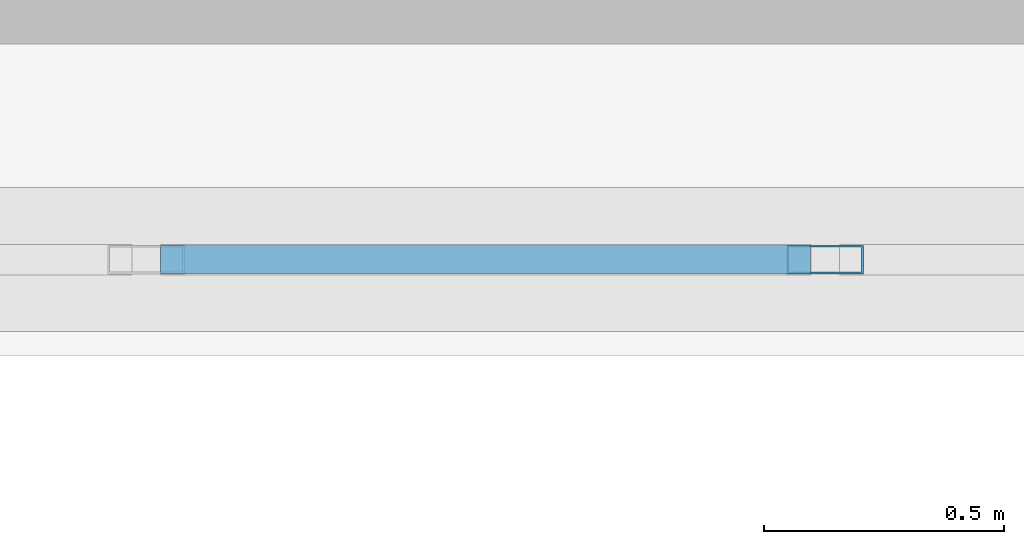
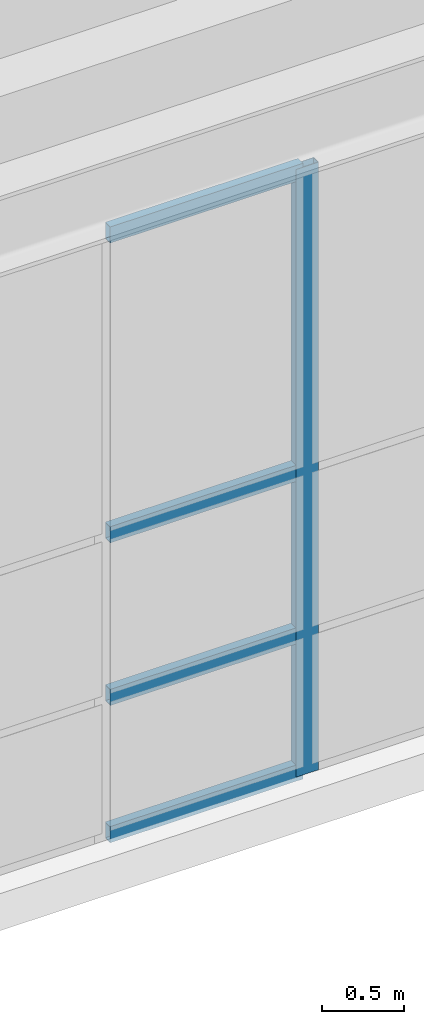
# One storey, part 62 of 210: 5 members, 1 element without a shape of its own.
"""IFC4 building model written with IfcOpenShell, lengths in metres."""

from ifc_helpers import new_model, si_unit, direction, frame, origin, origin_2d, place, context, subcontext, project, spatial, hollow_rectangle, extrude, material, material_profile, profile_set, type_object, element, aggregate, save


model = new_model("IFC4")

# Units and contexts
model_context = context("Model", 3, precision=1e-05, world=origin(), true_north=direction((0.0, 1.0)))
body_context = subcontext(model_context, "Body", "Model", "MODEL_VIEW")
ifc_project = project(units=[si_unit("LENGTHUNIT", "METRE"), si_unit("AREAUNIT", "SQUARE_METRE"), si_unit("VOLUMEUNIT", "CUBIC_METRE"), si_unit("PLANEANGLEUNIT", "RADIAN"), si_unit("MASSUNIT", "GRAM", prefix="KILO")], contexts=[model_context])

# Site, building, storey
site_placement = place(None, origin())
site = spatial("IfcSite", under=ifc_project, at=site_placement, CompositionType="ELEMENT")
building_placement = place(site_placement, origin())
building = spatial("IfcBuilding", under=site, at=building_placement, Name="Kaldris Quays Convention Centre", CompositionType="ELEMENT")
storey_placement = place(building_placement, frame((0.0, 0.0, 6.0)))
storey = spatial("IfcBuildingStorey", under=building, at=storey_placement, Name="L01", CompositionType="ELEMENT", Elevation=6.0)

# Curtain wall, members
ifc_material_1 = material(Name="Anodized aluminium AW-6060 and triple glazing", Category="aluminium")
curtain_wall_type = type_object("IfcCurtainWallType", Name="UNITISED CURTAIN WALL CW04", PredefinedType="NOTDEFINED", material=ifc_material_1)
curtain_wall_placement = place(storey_placement, origin())
curtain_wall = element("IfcCurtainWall", 1, at=curtain_wall_placement, inside=storey, type_object=curtain_wall_type, Name="L01 Unitised Curtain Wall CW04 112", PredefinedType="NOTDEFINED")
ifc_material_2 = material(Name="Anodized aluminium AW-6060", Category="aluminium")
ifc_material_profile_1 = material_profile(ifc_material_2, hollow_rectangle(XDim=0.06005859375, YDim=0.159912109375, WallThickness=0.00390625, at=origin_2d()), Name="RHS 160x60x4")
ifc_profile_set_1 = profile_set([ifc_material_profile_1], Name="Anodized aluminium AW-6060")
member_type_1 = type_object("IfcMemberType", Name="CURTAIN MULLION CWM1", PredefinedType="MULLION", material=ifc_profile_set_1)
member_1_placement = place(storey_placement, frame((131.083251953125, 38.0, 0.0), z_axis=(0.0, 0.0, 1.0), x_axis=(0.0, 1.0, 0.0)))
member_1 = element("IfcMember", 2, at=member_1_placement, type_object=member_type_1, Name="CW04 mullion 3", PredefinedType="MULLION", context=body_context, shape_type="SweptSolid", body=[
    extrude(hollow_rectangle(XDim=0.06005859375, YDim=0.159912109375, WallThickness=0.00390625, at=origin_2d()), origin(), (0.0, 0.0, 1.0), 4.51806640625),
])
ifc_material_profile_2 = material_profile(ifc_material_2, hollow_rectangle(XDim=0.06005859375, YDim=0.1201171875, WallThickness=0.00390625, at=origin_2d()), Name="RHS 120x60x4")
ifc_profile_set_2 = profile_set([ifc_material_profile_2], Name="Anodized aluminium AW-6060")
member_type_2 = type_object("IfcMemberType", Name="CURTAIN TRANSOM CWT1", PredefinedType="USERDEFINED", material=ifc_profile_set_2)
member_2_placement = place(storey_placement, frame((129.69677734375, 38.0, 0.030029296875), z_axis=(1.0, 0.0, 0.0), x_axis=(0.0, 1.0, 0.0)))
member_2 = element("IfcMember", 3, at=member_2_placement, type_object=member_type_2, Name="CW04 transom 2.1", ObjectType="TRANSOM", PredefinedType="USERDEFINED", context=body_context, shape_type="SweptSolid", body=[
    extrude(hollow_rectangle(XDim=0.06005859375, YDim=0.1201171875, WallThickness=0.00390625, at=origin_2d()), origin(), (0.0, 0.0, 1.0), 1.3564453125),
])
member_3_placement = place(storey_placement, frame((129.69677734375, 38.0, 1.050048828125), z_axis=(1.0, 0.0, 0.0), x_axis=(0.0, 1.0, 0.0)))
member_3 = element("IfcMember", 4, at=member_3_placement, type_object=member_type_2, Name="CW04 transom 2.2", ObjectType="TRANSOM", PredefinedType="USERDEFINED", context=body_context, shape_type="SweptSolid", body=[
    extrude(hollow_rectangle(XDim=0.06005859375, YDim=0.1201171875, WallThickness=0.00390625, at=origin_2d()), origin(), (0.0, 0.0, 1.0), 1.3564453125),
])
member_4_placement = place(storey_placement, frame((129.69677734375, 38.0, 2.259033203125), z_axis=(1.0, 0.0, 0.0), x_axis=(0.0, 1.0, 0.0)))
member_4 = element("IfcMember", 5, at=member_4_placement, type_object=member_type_2, Name="CW04 transom 2.3", ObjectType="TRANSOM", PredefinedType="USERDEFINED", context=body_context, shape_type="SweptSolid", body=[
    extrude(hollow_rectangle(XDim=0.06005859375, YDim=0.1201171875, WallThickness=0.00390625, at=origin_2d()), origin(), (0.0, 0.0, 1.0), 1.3564453125),
])
member_5_placement = place(storey_placement, frame((129.69677734375, 38.0, 4.488037109375), z_axis=(1.0, 0.0, 0.0), x_axis=(0.0, 1.0, 0.0)))
member_5 = element("IfcMember", 6, at=member_5_placement, type_object=member_type_2, Name="CW04 transom 2.4", ObjectType="TRANSOM", PredefinedType="USERDEFINED", context=body_context, shape_type="SweptSolid", body=[
    extrude(hollow_rectangle(XDim=0.06005859375, YDim=0.1201171875, WallThickness=0.00390625, at=origin_2d()), origin(), (0.0, 0.0, 1.0), 1.3564453125),
])
aggregate(curtain_wall, [member_1, member_2, member_3, member_4, member_5])

save(model, "model.ifc")
